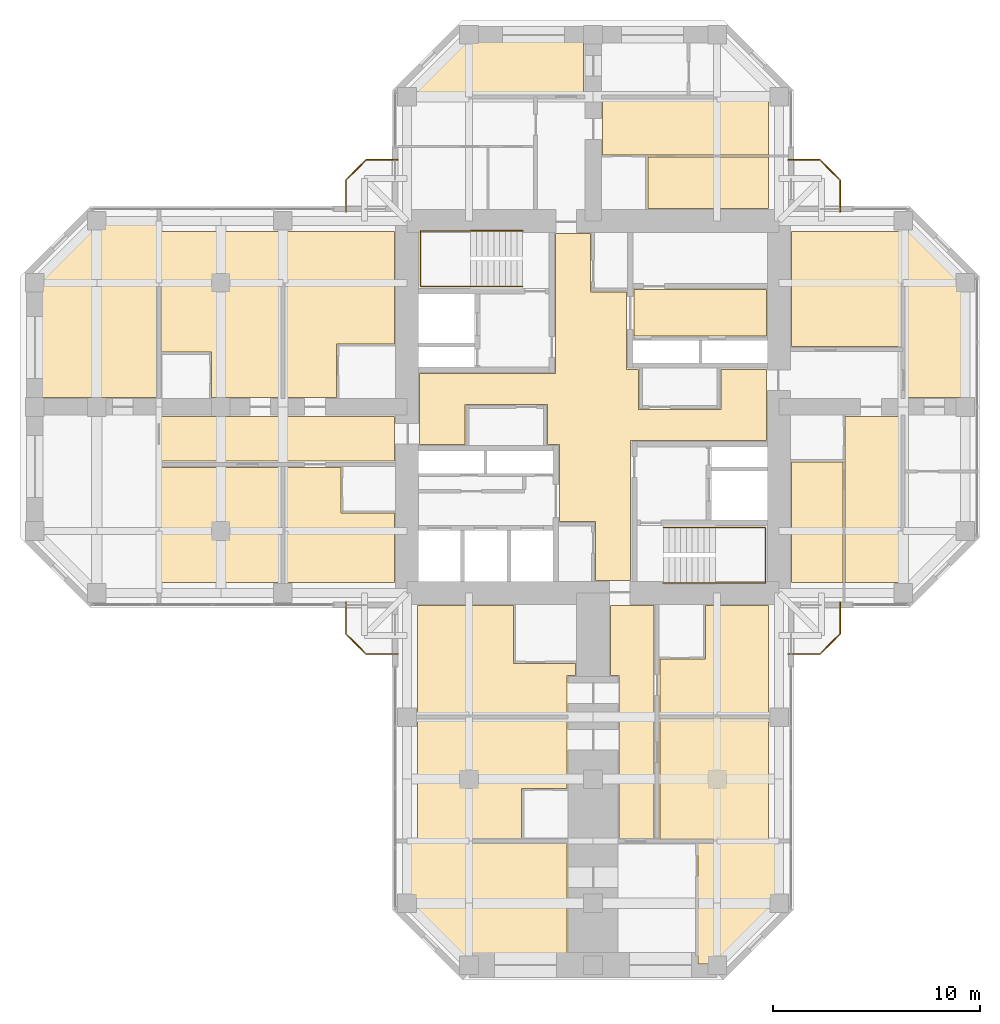
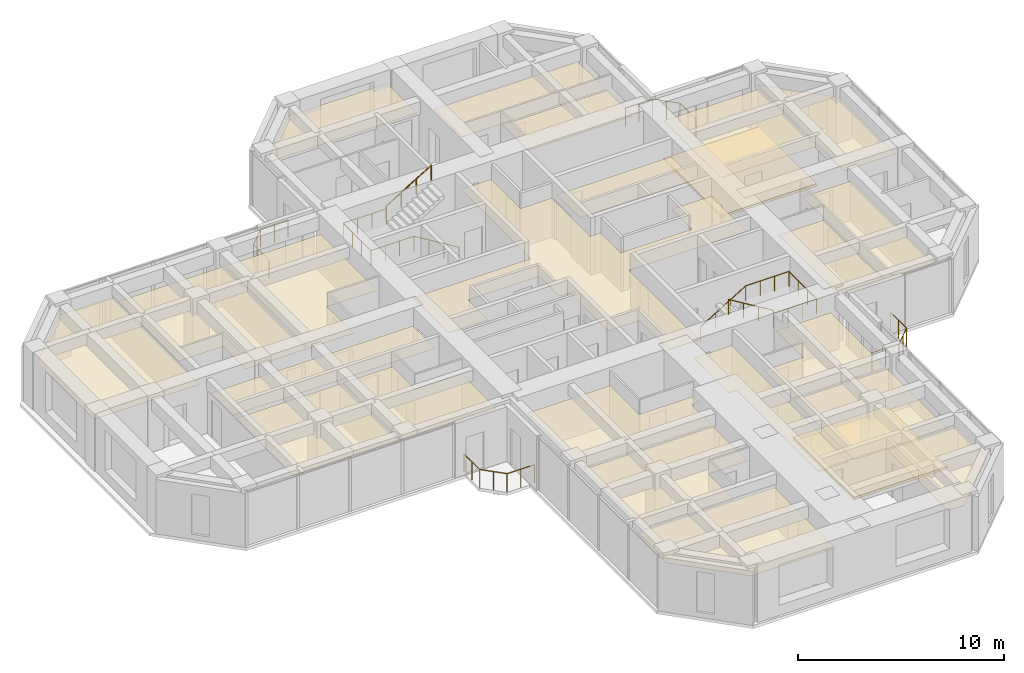
# One storey, part 14 of 14: 24 coverings, 8 railings.
"""IFC4 building model written with IfcOpenShell, lengths in metres."""

from ifc_helpers import new_model, si_unit, direction, frame, origin, origin_2d, place, context, subcontext, project, spatial, polyline, circle, outline, extrude, material, layer, layer_set, constituent, constituent_set, type_object, element, save


model = new_model("IFC4")

# Units and contexts
model_context = context("Model", 3, precision=1e-05, world=origin(), true_north=direction((0.0, 1.0)))
body_context = subcontext(model_context, "Body", "Model", "MODEL_VIEW")
ifc_project = project(units=[si_unit("LENGTHUNIT", "METRE"), si_unit("AREAUNIT", "SQUARE_METRE"), si_unit("VOLUMEUNIT", "CUBIC_METRE"), si_unit("PLANEANGLEUNIT", "RADIAN"), si_unit("MASSUNIT", "GRAM", prefix="KILO")], contexts=[model_context])

# Site, building, storey
site_placement = place(None, origin())
site = spatial("IfcSite", under=ifc_project, at=site_placement, CompositionType="ELEMENT")
building_placement = place(site_placement, origin())
building = spatial("IfcBuilding", under=site, at=building_placement, Name="Torre Cruceta", CompositionType="ELEMENT")
storey_placement = place(building_placement, frame((0.0, 0.0, 210.300048828125)))
storey = spatial("IfcBuildingStorey", under=building, at=storey_placement, Name="L53", CompositionType="ELEMENT", Elevation=210.300048828125)

# Railings
ifc_material_1 = material(Name="Stainless steel 1.4401", Category="steel")
ifc_constituent_1 = constituent(ifc_material_1, Name="Frame")
ifc_material_2 = material(Name="Laminated safety glass", Category="glass")
ifc_constituent_2 = constituent(ifc_material_2, Name="Infill")
ifc_constituent_set_1 = constituent_set(constituents=[ifc_constituent_1, ifc_constituent_2], Name="Stainless steel and laminated glass balustrade")
railing_type_1 = type_object("IfcRailingType", Name="BALCONY BALUSTRADE 1100", PredefinedType="BALUSTRADE", material=ifc_constituent_set_1)
railing_1_placement = place(storey_placement, frame((-9.449951171875, 11.949951171875, 0.0)))
element("IfcRailing", 1, at=railing_1_placement, inside=storey, type_object=railing_type_1, Name="BL1 balcony balustrade L53 N", PredefinedType="BALUSTRADE", context=body_context, shape_type="SweptSolid", body=[
    extrude(circle(Radius=0.02392578125, at=origin_2d()), frame((0.0, 0.0, 1.076171875), z_axis=(-1.0, 0.0, 0.0), x_axis=(0.0, -1.0, 0.0)), (0.0, 0.0, 1.0), 1.529296875),
    extrude(circle(Radius=0.02392578125, at=origin_2d()), frame((-1.529296875, 0.0, 1.076171875), z_axis=(-0.707106781187, -0.707106781187, 0.0), x_axis=(0.707106781187, -0.707106781187, 0.0)), (0.0, 0.0, 1.0), 1.372802734375),
    extrude(circle(Radius=0.02392578125, at=origin_2d()), frame((-2.5, -0.970703125, 1.076171875), z_axis=(0.0, -1.0, 0.0), x_axis=(1.0, 0.0, 0.0)), (0.0, 0.0, 1.0), 1.529296875),
    extrude(circle(Radius=0.02099609375, at=origin_2d()), origin(), (0.0, 0.0, 1.0), 1.052001953125),
    extrude(circle(Radius=0.02099609375, at=origin_2d()), frame((-0.7646484375, 0.0, 0.0)), (0.0, 0.0, 1.0), 1.052001953125),
    extrude(circle(Radius=0.02099609375, at=origin_2d()), frame((-1.529296875, 0.0, 0.0)), (0.0, 0.0, 1.0), 1.052001953125),
    extrude(circle(Radius=0.02099609375, at=origin_2d()), frame((-2.0146484375, -0.4853515625, 0.0)), (0.0, 0.0, 1.0), 1.052001953125),
    extrude(circle(Radius=0.02099609375, at=origin_2d()), frame((-2.5, -0.970703125, 0.0)), (0.0, 0.0, 1.0), 1.052001953125),
    extrude(circle(Radius=0.02099609375, at=origin_2d()), frame((-2.5, -1.7353515625, 0.0)), (0.0, 0.0, 1.0), 1.052001953125),
    extrude(circle(Radius=0.02099609375, at=origin_2d()), frame((-2.5, -2.5, 0.0)), (0.0, 0.0, 1.0), 1.052001953125),
])
railing_2_placement = place(storey_placement, frame((9.449951171875, 11.949951171875, 0.0)))
element("IfcRailing", 2, at=railing_2_placement, inside=storey, type_object=railing_type_1, Name="BL1 balcony balustrade L53 E", PredefinedType="BALUSTRADE", context=body_context, shape_type="SweptSolid", body=[
    extrude(circle(Radius=0.02392578125, at=origin_2d()), frame((0.0, 0.0, 1.076171875), z_axis=(1.0, 0.0, 0.0), x_axis=(0.0, 1.0, 0.0)), (0.0, 0.0, 1.0), 1.529296875),
    extrude(circle(Radius=0.02392578125, at=origin_2d()), frame((1.529296875, 0.0, 1.076171875), z_axis=(0.707106781187, -0.707106781187, 0.0), x_axis=(0.707106781187, 0.707106781187, 0.0)), (0.0, 0.0, 1.0), 1.372802734375),
    extrude(circle(Radius=0.02392578125, at=origin_2d()), frame((2.5, -0.970703125, 1.076171875), z_axis=(0.0, -1.0, 0.0), x_axis=(1.0, 0.0, 0.0)), (0.0, 0.0, 1.0), 1.529296875),
    extrude(circle(Radius=0.02099609375, at=origin_2d()), origin(), (0.0, 0.0, 1.0), 1.052001953125),
    extrude(circle(Radius=0.02099609375, at=origin_2d()), frame((0.7646484375, 0.0, 0.0)), (0.0, 0.0, 1.0), 1.052001953125),
    extrude(circle(Radius=0.02099609375, at=origin_2d()), frame((1.529296875, 0.0, 0.0)), (0.0, 0.0, 1.0), 1.052001953125),
    extrude(circle(Radius=0.02099609375, at=origin_2d()), frame((2.0146484375, -0.4853515625, 0.0)), (0.0, 0.0, 1.0), 1.052001953125),
    extrude(circle(Radius=0.02099609375, at=origin_2d()), frame((2.5, -0.970703125, 0.0)), (0.0, 0.0, 1.0), 1.052001953125),
    extrude(circle(Radius=0.02099609375, at=origin_2d()), frame((2.5, -1.7353515625, 0.0)), (0.0, 0.0, 1.0), 1.052001953125),
    extrude(circle(Radius=0.02099609375, at=origin_2d()), frame((2.5, -2.5, 0.0)), (0.0, 0.0, 1.0), 1.052001953125),
])
railing_3_placement = place(storey_placement, frame((9.449951171875, -11.949951171875, 0.0)))
element("IfcRailing", 3, at=railing_3_placement, inside=storey, type_object=railing_type_1, Name="BL1 balcony balustrade L53 S", PredefinedType="BALUSTRADE", context=body_context, shape_type="SweptSolid", body=[
    extrude(circle(Radius=0.02392578125, at=origin_2d()), frame((0.0, 0.0, 1.076171875), z_axis=(1.0, 0.0, 0.0), x_axis=(0.0, 1.0, 0.0)), (0.0, 0.0, 1.0), 1.529296875),
    extrude(circle(Radius=0.02392578125, at=origin_2d()), frame((1.529296875, 0.0, 1.076171875), z_axis=(0.707106781187, 0.707106781187, 0.0), x_axis=(-0.707106781187, 0.707106781187, 0.0)), (0.0, 0.0, 1.0), 1.372802734375),
    extrude(circle(Radius=0.02392578125, at=origin_2d()), frame((2.5, 0.970703125, 1.076171875), z_axis=(0.0, 1.0, 0.0), x_axis=(-1.0, 0.0, 0.0)), (0.0, 0.0, 1.0), 1.529296875),
    extrude(circle(Radius=0.02099609375, at=origin_2d()), origin(), (0.0, 0.0, 1.0), 1.052001953125),
    extrude(circle(Radius=0.02099609375, at=origin_2d()), frame((0.7646484375, 0.0, 0.0)), (0.0, 0.0, 1.0), 1.052001953125),
    extrude(circle(Radius=0.02099609375, at=origin_2d()), frame((1.529296875, 0.0, 0.0)), (0.0, 0.0, 1.0), 1.052001953125),
    extrude(circle(Radius=0.02099609375, at=origin_2d()), frame((2.0146484375, 0.4853515625, 0.0)), (0.0, 0.0, 1.0), 1.052001953125),
    extrude(circle(Radius=0.02099609375, at=origin_2d()), frame((2.5, 0.970703125, 0.0)), (0.0, 0.0, 1.0), 1.052001953125),
    extrude(circle(Radius=0.02099609375, at=origin_2d()), frame((2.5, 1.7353515625, 0.0)), (0.0, 0.0, 1.0), 1.052001953125),
    extrude(circle(Radius=0.02099609375, at=origin_2d()), frame((2.5, 2.5, 0.0)), (0.0, 0.0, 1.0), 1.052001953125),
])
railing_4_placement = place(storey_placement, frame((-9.449951171875, -11.949951171875, 0.0)))
element("IfcRailing", 4, at=railing_4_placement, inside=storey, type_object=railing_type_1, Name="BL1 balcony balustrade L53 W", PredefinedType="BALUSTRADE", context=body_context, shape_type="SweptSolid", body=[
    extrude(circle(Radius=0.02392578125, at=origin_2d()), frame((0.0, 0.0, 1.076171875), z_axis=(-1.0, 0.0, 0.0), x_axis=(0.0, -1.0, 0.0)), (0.0, 0.0, 1.0), 1.529296875),
    extrude(circle(Radius=0.02392578125, at=origin_2d()), frame((-1.529296875, 0.0, 1.076171875), z_axis=(-0.707106781187, 0.707106781187, 0.0), x_axis=(-0.707106781187, -0.707106781187, 0.0)), (0.0, 0.0, 1.0), 1.372802734375),
    extrude(circle(Radius=0.02392578125, at=origin_2d()), frame((-2.5, 0.970703125, 1.076171875), z_axis=(0.0, 1.0, 0.0), x_axis=(-1.0, 0.0, 0.0)), (0.0, 0.0, 1.0), 1.529296875),
    extrude(circle(Radius=0.02099609375, at=origin_2d()), origin(), (0.0, 0.0, 1.0), 1.052001953125),
    extrude(circle(Radius=0.02099609375, at=origin_2d()), frame((-0.7646484375, 0.0, 0.0)), (0.0, 0.0, 1.0), 1.052001953125),
    extrude(circle(Radius=0.02099609375, at=origin_2d()), frame((-1.529296875, 0.0, 0.0)), (0.0, 0.0, 1.0), 1.052001953125),
    extrude(circle(Radius=0.02099609375, at=origin_2d()), frame((-2.0146484375, 0.4853515625, 0.0)), (0.0, 0.0, 1.0), 1.052001953125),
    extrude(circle(Radius=0.02099609375, at=origin_2d()), frame((-2.5, 0.970703125, 0.0)), (0.0, 0.0, 1.0), 1.052001953125),
    extrude(circle(Radius=0.02099609375, at=origin_2d()), frame((-2.5, 1.7353515625, 0.0)), (0.0, 0.0, 1.0), 1.052001953125),
    extrude(circle(Radius=0.02099609375, at=origin_2d()), frame((-2.5, 2.5, 0.0)), (0.0, 0.0, 1.0), 1.052001953125),
])
ifc_material_3 = material(Name="Stainless steel 1.4401", Category="steel")
railing_type_2 = type_object("IfcRailingType", Name="HANDRAIL 900", PredefinedType="HANDRAIL", material=ifc_material_3)
railing_5_placement = place(storey_placement, frame((-3.39990234375, 5.8349609375, 0.169921875)))
element("IfcRailing", 5, at=railing_5_placement, inside=storey, type_object=railing_type_2, Name="Handrail HR1 ST1 L53", PredefinedType="HANDRAIL", context=body_context, shape_type="SweptSolid", body=[
    extrude(circle(Radius=0.02392578125, at=origin_2d()), frame((0.0, 0.0, 0.8759765625), z_axis=(-0.85478489116, 0.0, 0.518982456201), x_axis=(0.0, -1.0, 0.0)), (0.0, 0.0, 1.0), 2.9482421875),
    extrude(circle(Radius=0.02392578125, at=origin_2d()), frame((-2.52001953125, 0.0, 2.40576171875), z_axis=(-1.0, 0.0, 0.0), x_axis=(0.0, -1.0, 0.0)), (0.0, 0.0, 1.0), 2.420166015625),
    extrude(circle(Radius=0.02392578125, at=origin_2d()), frame((-4.940185546875, 0.0, 2.40576171875), z_axis=(0.0, 1.0, 0.0), x_axis=(-1.0, 0.0, 0.0)), (0.0, 0.0, 1.0), 2.679931640625),
    extrude(circle(Radius=0.02392578125, at=origin_2d()), frame((-4.940185546875, 2.679931640625, 2.40576171875), z_axis=(1.0, 0.0, 0.0), x_axis=(0.0, 1.0, 0.0)), (0.0, 0.0, 1.0), 2.420166015625),
    extrude(circle(Radius=0.02099609375, at=origin_2d()), origin(), (0.0, 0.0, 1.0), 0.851806640625),
    extrude(circle(Radius=0.02099609375, at=origin_2d()), frame((-0.840087890625, 0.0, 0.510009765625)), (0.0, 0.0, 1.0), 0.851806640625),
    extrude(circle(Radius=0.02099609375, at=origin_2d()), frame((-1.679931640625, 0.0, 1.02001953125)), (0.0, 0.0, 1.0), 0.851806640625),
    extrude(circle(Radius=0.02099609375, at=origin_2d()), frame((-2.52001953125, 0.0, 1.530029296875)), (0.0, 0.0, 1.0), 0.851806640625),
    extrude(circle(Radius=0.02099609375, at=origin_2d()), frame((-3.32666015625, 0.0, 1.530029296875)), (0.0, 0.0, 1.0), 0.851806640625),
    extrude(circle(Radius=0.02099609375, at=origin_2d()), frame((-4.133544921875, 0.0, 1.530029296875)), (0.0, 0.0, 1.0), 0.851806640625),
    extrude(circle(Radius=0.02099609375, at=origin_2d()), frame((-4.940185546875, 0.0, 1.530029296875)), (0.0, 0.0, 1.0), 0.851806640625),
    extrude(circle(Radius=0.02099609375, at=origin_2d()), frame((-4.940185546875, 0.893310546875, 1.530029296875)), (0.0, 0.0, 1.0), 0.851806640625),
    extrude(circle(Radius=0.02099609375, at=origin_2d()), frame((-4.940185546875, 1.78662109375, 1.530029296875)), (0.0, 0.0, 1.0), 0.851806640625),
    extrude(circle(Radius=0.02099609375, at=origin_2d()), frame((-4.940185546875, 2.679931640625, 1.530029296875)), (0.0, 0.0, 1.0), 0.851806640625),
    extrude(circle(Radius=0.02099609375, at=origin_2d()), frame((-4.133544921875, 2.679931640625, 1.530029296875)), (0.0, 0.0, 1.0), 0.851806640625),
    extrude(circle(Radius=0.02099609375, at=origin_2d()), frame((-3.32666015625, 2.679931640625, 1.530029296875)), (0.0, 0.0, 1.0), 0.851806640625),
    extrude(circle(Radius=0.02099609375, at=origin_2d()), frame((-2.52001953125, 2.679931640625, 1.530029296875)), (0.0, 0.0, 1.0), 0.851806640625),
])
railing_6_placement = place(storey_placement, frame((-5.919921875, 8.514892578125, 1.869873046875)))
element("IfcRailing", 6, at=railing_6_placement, inside=storey, type_object=railing_type_2, Name="Handrail HR1 ST1 L53", PredefinedType="HANDRAIL", context=body_context, shape_type="SweptSolid", body=[
    extrude(circle(Radius=0.02392578125, at=origin_2d()), frame((0.0, 0.0, 0.8759765625), z_axis=(0.85478489116, 0.0, 0.518982456201), x_axis=(0.0, 1.0, 0.0)), (0.0, 0.0, 1.0), 2.9482421875),
    extrude(circle(Radius=0.02099609375, at=origin_2d()), origin(), (0.0, 0.0, 1.0), 0.851806640625),
    extrude(circle(Radius=0.02099609375, at=origin_2d()), frame((0.840087890625, 0.0, 0.510009765625)), (0.0, 0.0, 1.0), 0.851806640625),
    extrude(circle(Radius=0.02099609375, at=origin_2d()), frame((1.679931640625, 0.0, 1.02001953125)), (0.0, 0.0, 1.0), 0.851806640625),
    extrude(circle(Radius=0.02099609375, at=origin_2d()), frame((2.52001953125, 0.0, 1.530029296875)), (0.0, 0.0, 1.0), 0.851806640625),
])
railing_7_placement = place(storey_placement, frame((3.39990234375, -5.8349609375, 0.169921875)))
element("IfcRailing", 7, at=railing_7_placement, inside=storey, type_object=railing_type_2, Name="Handrail HR1 ST2 L53", PredefinedType="HANDRAIL", context=body_context, shape_type="SweptSolid", body=[
    extrude(circle(Radius=0.02392578125, at=origin_2d()), frame((0.0, 0.0, 0.8759765625), z_axis=(0.85478489116, 0.0, 0.518982456201), x_axis=(0.0, 1.0, 0.0)), (0.0, 0.0, 1.0), 2.9482421875),
    extrude(circle(Radius=0.02392578125, at=origin_2d()), frame((2.52001953125, 0.0, 2.40576171875), z_axis=(1.0, 0.0, 0.0), x_axis=(0.0, 1.0, 0.0)), (0.0, 0.0, 1.0), 2.420166015625),
    extrude(circle(Radius=0.02392578125, at=origin_2d()), frame((4.940185546875, 0.0, 2.40576171875), z_axis=(0.0, -1.0, 0.0), x_axis=(1.0, 0.0, 0.0)), (0.0, 0.0, 1.0), 2.679931640625),
    extrude(circle(Radius=0.02392578125, at=origin_2d()), frame((4.940185546875, -2.679931640625, 2.40576171875), z_axis=(-1.0, 0.0, 0.0), x_axis=(0.0, -1.0, 0.0)), (0.0, 0.0, 1.0), 2.420166015625),
    extrude(circle(Radius=0.02099609375, at=origin_2d()), origin(), (0.0, 0.0, 1.0), 0.851806640625),
    extrude(circle(Radius=0.02099609375, at=origin_2d()), frame((0.840087890625, 0.0, 0.510009765625)), (0.0, 0.0, 1.0), 0.851806640625),
    extrude(circle(Radius=0.02099609375, at=origin_2d()), frame((1.679931640625, 0.0, 1.02001953125)), (0.0, 0.0, 1.0), 0.851806640625),
    extrude(circle(Radius=0.02099609375, at=origin_2d()), frame((2.52001953125, 0.0, 1.530029296875)), (0.0, 0.0, 1.0), 0.851806640625),
    extrude(circle(Radius=0.02099609375, at=origin_2d()), frame((3.32666015625, 0.0, 1.530029296875)), (0.0, 0.0, 1.0), 0.851806640625),
    extrude(circle(Radius=0.02099609375, at=origin_2d()), frame((4.133544921875, 0.0, 1.530029296875)), (0.0, 0.0, 1.0), 0.851806640625),
    extrude(circle(Radius=0.02099609375, at=origin_2d()), frame((4.940185546875, 0.0, 1.530029296875)), (0.0, 0.0, 1.0), 0.851806640625),
    extrude(circle(Radius=0.02099609375, at=origin_2d()), frame((4.940185546875, -0.893310546875, 1.530029296875)), (0.0, 0.0, 1.0), 0.851806640625),
    extrude(circle(Radius=0.02099609375, at=origin_2d()), frame((4.940185546875, -1.78662109375, 1.530029296875)), (0.0, 0.0, 1.0), 0.851806640625),
    extrude(circle(Radius=0.02099609375, at=origin_2d()), frame((4.940185546875, -2.679931640625, 1.530029296875)), (0.0, 0.0, 1.0), 0.851806640625),
    extrude(circle(Radius=0.02099609375, at=origin_2d()), frame((4.133544921875, -2.679931640625, 1.530029296875)), (0.0, 0.0, 1.0), 0.851806640625),
    extrude(circle(Radius=0.02099609375, at=origin_2d()), frame((3.32666015625, -2.679931640625, 1.530029296875)), (0.0, 0.0, 1.0), 0.851806640625),
    extrude(circle(Radius=0.02099609375, at=origin_2d()), frame((2.52001953125, -2.679931640625, 1.530029296875)), (0.0, 0.0, 1.0), 0.851806640625),
])
railing_8_placement = place(storey_placement, frame((5.919921875, -8.514892578125, 1.869873046875)))
element("IfcRailing", 8, at=railing_8_placement, inside=storey, type_object=railing_type_2, Name="Handrail HR1 ST2 L53", PredefinedType="HANDRAIL", context=body_context, shape_type="SweptSolid", body=[
    extrude(circle(Radius=0.02392578125, at=origin_2d()), frame((0.0, 0.0, 0.8759765625), z_axis=(-0.85478489116, 0.0, 0.518982456201), x_axis=(0.0, -1.0, 0.0)), (0.0, 0.0, 1.0), 2.9482421875),
    extrude(circle(Radius=0.02099609375, at=origin_2d()), origin(), (0.0, 0.0, 1.0), 0.851806640625),
    extrude(circle(Radius=0.02099609375, at=origin_2d()), frame((-0.840087890625, 0.0, 0.510009765625)), (0.0, 0.0, 1.0), 0.851806640625),
    extrude(circle(Radius=0.02099609375, at=origin_2d()), frame((-1.679931640625, 0.0, 1.02001953125)), (0.0, 0.0, 1.0), 0.851806640625),
    extrude(circle(Radius=0.02099609375, at=origin_2d()), frame((-2.52001953125, 0.0, 1.530029296875)), (0.0, 0.0, 1.0), 0.851806640625),
])

# Coverings
ifc_material_4 = material(Name="Steel DX51D", Category="steel")
ifc_constituent_3 = constituent(ifc_material_4, Name="Panel casing")
ifc_material_5 = material(Name="Calcium sulphate", Category="gypsum")
ifc_constituent_4 = constituent(ifc_material_5, Name="Panel core")
ifc_constituent_set_2 = constituent_set(constituents=[ifc_constituent_3, ifc_constituent_4], Name="Raised access floor panel")
covering_type_1 = type_object("IfcCoveringType", Name="RAISED ACCESS FLOOR 150", PredefinedType="FLOORING", material=ifc_constituent_set_2)
covering_1_placement = place(storey_placement, origin())
element("IfcCovering", 9, at=covering_1_placement, inside=storey, type_object=covering_type_1, Name="Raised floor L53-036", PredefinedType="FLOORING", context=body_context, shape_type="SweptSolid", body=[
    extrude(outline(polyline([(9.60009765625, 2.925048828125), (9.60009765625, 8.5), (14.949951171875, 8.5), (14.949951171875, 2.925048828125), (9.60009765625, 2.925048828125)])), origin(), (0.0, 0.0, 1.0), 0.14990234375),
])
covering_2_placement = place(storey_placement, origin())
element("IfcCovering", 10, at=covering_2_placement, inside=storey, type_object=covering_type_1, Name="Raised floor L53-048", PredefinedType="FLOORING", context=body_context, shape_type="SweptSolid", body=[
    extrude(outline(polyline([(3.25, -15.050048828125), (8.5, -15.050048828125), (8.5, -20.949951171875), (3.25, -20.949951171875), (3.25, -15.050048828125)])), origin(), (0.0, 0.0, 1.0), 0.14990234375),
])
ifc_material_6 = material(Name="Mineral fibre ceiling tile", Category="gypsum")
ifc_layer = layer(ifc_material_6, 0.02001953125)
ifc_layer_set = layer_set([ifc_layer], Name="Mineral fibre ceiling tile")
covering_type_2 = type_object("IfcCoveringType", Name="SUSPENDED CEILING 20", PredefinedType="CEILING", material=ifc_layer_set)
covering_3_placement = place(storey_placement, frame((0.0, 0.0, 2.349853515625)))
element("IfcCovering", 11, at=covering_3_placement, inside=storey, type_object=covering_type_2, Name="Ceiling L53-002", PredefinedType="CEILING", context=body_context, shape_type="SweptSolid", body=[
    extrude(outline(polyline([(1.824951171875, -8.39990234375), (0.125, -8.39990234375), (0.125, -5.550048828125), (-1.625, -5.550048828125), (-1.625, -1.824951171875), (-2.199951171875, -1.824951171875), (-2.199951171875, 0.125), (-6.199951171875, 0.125), (-6.199951171875, -1.824951171875), (-8.39990234375, -1.824951171875), (-8.39990234375, 1.625), (-1.824951171875, 1.625), (-1.824951171875, 8.39990234375), (-0.125, 8.39990234375), (-0.125, 5.550048828125), (1.625, 5.550048828125), (1.625, 1.824951171875), (2.199951171875, 1.824951171875), (2.199951171875, -0.125), (6.199951171875, -0.125), (6.199951171875, 1.824951171875), (8.39990234375, 1.824951171875), (8.39990234375, -1.625), (1.824951171875, -1.625), (1.824951171875, -8.39990234375)])), origin(), (0.0, 0.0, 1.0), 0.02001953125),
])
covering_4_placement = place(storey_placement, frame((0.0, 0.0, 2.349853515625)))
element("IfcCovering", 12, at=covering_4_placement, inside=storey, type_object=covering_type_2, Name="Ceiling L53-007", PredefinedType="CEILING", context=body_context, shape_type="SweptSolid", body=[
    extrude(outline(polyline([(1.97509765625, 3.425048828125), (1.97509765625, 5.675048828125), (8.39990234375, 5.675048828125), (8.39990234375, 3.425048828125), (1.97509765625, 3.425048828125)])), origin(), (0.0, 0.0, 1.0), 0.02001953125),
])
covering_5_placement = place(storey_placement, frame((0.0, 0.0, 2.349853515625)))
element("IfcCovering", 13, at=covering_5_placement, inside=storey, type_object=covering_type_2, Name="Ceiling L53-029", PredefinedType="CEILING", context=body_context, shape_type="SweptSolid", body=[
    extrude(outline(polyline([(8.5, 14.949951171875), (8.5, 12.199951171875), (0.449951171875, 12.199951171875), (0.449951171875, 14.949951171875), (8.5, 14.949951171875)])), origin(), (0.0, 0.0, 1.0), 0.02001953125),
])
covering_6_placement = place(storey_placement, frame((0.0, 0.0, 2.349853515625)))
element("IfcCovering", 14, at=covering_6_placement, inside=storey, type_object=covering_type_2, Name="Ceiling L53-030", PredefinedType="CEILING", context=body_context, shape_type="SweptSolid", body=[
    extrude(outline(polyline([(8.5, 9.60009765625), (2.64990234375, 9.60009765625), (2.64990234375, 12.10009765625), (8.5, 12.10009765625), (8.5, 9.60009765625)])), origin(), (0.0, 0.0, 1.0), 0.02001953125),
])
covering_7_placement = place(storey_placement, frame((0.0, 0.0, 2.349853515625)))
element("IfcCovering", 15, at=covering_7_placement, inside=storey, type_object=covering_type_2, Name="Ceiling L53-032", PredefinedType="CEILING", context=body_context, shape_type="SweptSolid", body=[
    extrude(outline(polyline([(-5.979248046875, 17.949951171875), (-0.449951171875, 17.949951171875), (-0.449951171875, 15.050048828125), (-8.87939453125, 15.050048828125), (-5.979248046875, 17.949951171875)])), origin(), (0.0, 0.0, 1.0), 0.02001953125),
])
covering_8_placement = place(storey_placement, frame((0.0, 0.0, 2.349853515625)))
element("IfcCovering", 16, at=covering_8_placement, inside=storey, type_object=covering_type_2, Name="Ceiling L53-036", PredefinedType="CEILING", context=body_context, shape_type="SweptSolid", body=[
    extrude(outline(polyline([(9.60009765625, 2.925048828125), (9.60009765625, 8.5), (14.949951171875, 8.5), (14.949951171875, 2.925048828125), (9.60009765625, 2.925048828125)])), origin(), (0.0, 0.0, 1.0), 0.02001953125),
])
covering_9_placement = place(storey_placement, frame((0.0, 0.0, 2.349853515625)))
element("IfcCovering", 17, at=covering_9_placement, inside=storey, type_object=covering_type_2, Name="Ceiling L53-037", PredefinedType="CEILING", context=body_context, shape_type="SweptSolid", body=[
    extrude(outline(polyline([(14.949951171875, -8.5), (12.199951171875, -8.5), (12.199951171875, -0.449951171875), (14.949951171875, -0.449951171875), (14.949951171875, -8.5)])), origin(), (0.0, 0.0, 1.0), 0.02001953125),
])
covering_10_placement = place(storey_placement, frame((0.0, 0.0, 2.349853515625)))
element("IfcCovering", 18, at=covering_10_placement, inside=storey, type_object=covering_type_2, Name="Ceiling L53-038", PredefinedType="CEILING", context=body_context, shape_type="SweptSolid", body=[
    extrude(outline(polyline([(9.60009765625, -8.5), (9.60009765625, -2.64990234375), (12.10009765625, -2.64990234375), (12.10009765625, -8.5), (9.60009765625, -8.5)])), origin(), (0.0, 0.0, 1.0), 0.02001953125),
])
covering_11_placement = place(storey_placement, frame((0.0, 0.0, 2.349853515625)))
element("IfcCovering", 19, at=covering_11_placement, inside=storey, type_object=covering_type_2, Name="Ceiling L53-040", PredefinedType="CEILING", context=body_context, shape_type="SweptSolid", body=[
    extrude(outline(polyline([(17.949951171875, 5.979248046875), (17.949951171875, 0.449951171875), (15.050048828125, 0.449951171875), (15.050048828125, 8.87939453125), (17.949951171875, 5.979248046875)])), origin(), (0.0, 0.0, 1.0), 0.02001953125),
])
covering_12_placement = place(storey_placement, frame((0.0, 0.0, 2.349853515625)))
element("IfcCovering", 20, at=covering_12_placement, inside=storey, type_object=covering_type_2, Name="Ceiling L53-043", PredefinedType="CEILING", context=body_context, shape_type="SweptSolid", body=[
    extrude(outline(polyline([(0.85009765625, -9.60009765625), (2.949951171875, -9.60009765625), (2.949951171875, -20.949951171875), (1.25, -20.949951171875), (1.25, -13.0), (0.85009765625, -13.0), (0.85009765625, -9.60009765625)])), origin(), (0.0, 0.0, 1.0), 0.02001953125),
])
covering_13_placement = place(storey_placement, frame((0.0, 0.0, 2.349853515625)))
element("IfcCovering", 21, at=covering_13_placement, inside=storey, type_object=covering_type_2, Name="Ceiling L53-044", PredefinedType="CEILING", context=body_context, shape_type="SweptSolid", body=[
    extrude(outline(polyline([(8.5, -9.60009765625), (8.5, -14.949951171875), (3.25, -14.949951171875), (3.25, -12.199951171875), (5.449951171875, -12.199951171875), (5.449951171875, -9.60009765625), (8.5, -9.60009765625)])), origin(), (0.0, 0.0, 1.0), 0.02001953125),
])
covering_14_placement = place(storey_placement, frame((0.0, 0.0, 2.349853515625)))
element("IfcCovering", 22, at=covering_14_placement, inside=storey, type_object=covering_type_2, Name="Ceiling L53-046", PredefinedType="CEILING", context=body_context, shape_type="SweptSolid", body=[
    extrude(outline(polyline([(-8.5, -14.949951171875), (-8.5, -9.60009765625), (-3.85009765625, -9.60009765625), (-3.85009765625, -12.39990234375), (-0.85009765625, -12.39990234375), (-0.85009765625, -13.0), (-1.25, -13.0), (-1.25, -14.949951171875), (-8.5, -14.949951171875)])), origin(), (0.0, 0.0, 1.0), 0.02001953125),
])
covering_15_placement = place(storey_placement, frame((0.0, 0.0, 2.349853515625)))
element("IfcCovering", 23, at=covering_15_placement, inside=storey, type_object=covering_type_2, Name="Ceiling L53-048", PredefinedType="CEILING", context=body_context, shape_type="SweptSolid", body=[
    extrude(outline(polyline([(3.25, -15.050048828125), (8.5, -15.050048828125), (8.5, -20.949951171875), (3.25, -20.949951171875), (3.25, -15.050048828125)])), origin(), (0.0, 0.0, 1.0), 0.02001953125),
])
covering_16_placement = place(storey_placement, frame((0.0, 0.0, 2.349853515625)))
element("IfcCovering", 24, at=covering_16_placement, inside=storey, type_object=covering_type_2, Name="Ceiling L53-049", PredefinedType="CEILING", context=body_context, shape_type="SweptSolid", body=[
    extrude(outline(polyline([(-8.5, -15.050048828125), (-1.25, -15.050048828125), (-1.25, -18.449951171875), (-3.449951171875, -18.449951171875), (-3.449951171875, -20.949951171875), (-8.5, -20.949951171875), (-8.5, -15.050048828125)])), origin(), (0.0, 0.0, 1.0), 0.02001953125),
])
covering_17_placement = place(storey_placement, frame((0.0, 0.0, 2.349853515625)))
element("IfcCovering", 25, at=covering_17_placement, inside=storey, type_object=covering_type_2, Name="Ceiling L53-052", PredefinedType="CEILING", context=body_context, shape_type="SweptSolid", body=[
    extrude(outline(polyline([(8.949951171875, -23.979248046875), (5.979248046875, -26.949951171875), (5.074951171875, -26.949951171875), (5.074951171875, -21.050048828125), (8.949951171875, -21.050048828125), (8.949951171875, -23.979248046875)])), origin(), (0.0, 0.0, 1.0), 0.02001953125),
])
covering_18_placement = place(storey_placement, frame((0.0, 0.0, 2.349853515625)))
element("IfcCovering", 26, at=covering_18_placement, inside=storey, type_object=covering_type_2, Name="Ceiling L53-053", PredefinedType="CEILING", context=body_context, shape_type="SweptSolid", body=[
    extrude(outline(polyline([(-8.949951171875, -23.979248046875), (-8.949951171875, -21.050048828125), (-1.25, -21.050048828125), (-1.25, -26.949951171875), (-5.979248046875, -26.949951171875), (-8.949951171875, -23.979248046875)])), origin(), (0.0, 0.0, 1.0), 0.02001953125),
])
covering_19_placement = place(storey_placement, frame((0.0, 0.0, 2.349853515625)))
element("IfcCovering", 27, at=covering_19_placement, inside=storey, type_object=covering_type_2, Name="Ceiling L53-054", PredefinedType="CEILING", context=body_context, shape_type="SweptSolid", body=[
    extrude(outline(polyline([(-9.60009765625, -0.449951171875), (-9.60009765625, -2.625), (-20.949951171875, -2.625), (-20.949951171875, -0.449951171875), (-9.60009765625, -0.449951171875)])), origin(), (0.0, 0.0, 1.0), 0.02001953125),
])
covering_20_placement = place(storey_placement, frame((0.0, 0.0, 2.349853515625)))
element("IfcCovering", 28, at=covering_20_placement, inside=storey, type_object=covering_type_2, Name="Ceiling L53-055", PredefinedType="CEILING", context=body_context, shape_type="SweptSolid", body=[
    extrude(outline(polyline([(-9.60009765625, -8.5), (-14.949951171875, -8.5), (-14.949951171875, -2.925048828125), (-12.199951171875, -2.925048828125), (-12.199951171875, -5.125), (-9.60009765625, -5.125), (-9.60009765625, -8.5)])), origin(), (0.0, 0.0, 1.0), 0.02001953125),
])
covering_21_placement = place(storey_placement, frame((0.0, 0.0, 2.349853515625)))
element("IfcCovering", 29, at=covering_21_placement, inside=storey, type_object=covering_type_2, Name="Ceiling L53-057", PredefinedType="CEILING", context=body_context, shape_type="SweptSolid", body=[
    extrude(outline(polyline([(-14.949951171875, 0.449951171875), (-14.949951171875, 8.5), (-9.60009765625, 8.5), (-9.60009765625, 3.050048828125), (-12.39990234375, 3.050048828125), (-12.39990234375, 0.449951171875), (-14.949951171875, 0.449951171875)])), origin(), (0.0, 0.0, 1.0), 0.02001953125),
])
covering_22_placement = place(storey_placement, frame((0.0, 0.0, 2.349853515625)))
element("IfcCovering", 30, at=covering_22_placement, inside=storey, type_object=covering_type_2, Name="Ceiling L53-059", PredefinedType="CEILING", context=body_context, shape_type="SweptSolid", body=[
    extrude(outline(polyline([(-15.050048828125, -2.925048828125), (-15.050048828125, -8.5), (-20.949951171875, -8.5), (-20.949951171875, -2.925048828125), (-15.050048828125, -2.925048828125)])), origin(), (0.0, 0.0, 1.0), 0.02001953125),
])
covering_23_placement = place(storey_placement, frame((0.0, 0.0, 2.349853515625)))
element("IfcCovering", 31, at=covering_23_placement, inside=storey, type_object=covering_type_2, Name="Ceiling L53-060", PredefinedType="CEILING", context=body_context, shape_type="SweptSolid", body=[
    extrude(outline(polyline([(-20.949951171875, 8.5), (-15.050048828125, 8.5), (-15.050048828125, 0.449951171875), (-18.449951171875, 0.449951171875), (-18.449951171875, 2.64990234375), (-20.949951171875, 2.64990234375), (-20.949951171875, 8.5)])), origin(), (0.0, 0.0, 1.0), 0.02001953125),
])
covering_24_placement = place(storey_placement, frame((0.0, 0.0, 2.349853515625)))
element("IfcCovering", 32, at=covering_24_placement, inside=storey, type_object=covering_type_2, Name="Ceiling L53-063", PredefinedType="CEILING", context=body_context, shape_type="SweptSolid", body=[
    extrude(outline(polyline([(-23.979248046875, 8.949951171875), (-21.050048828125, 8.949951171875), (-21.050048828125, 0.449951171875), (-26.949951171875, 0.449951171875), (-26.949951171875, 5.979248046875), (-23.979248046875, 8.949951171875)])), origin(), (0.0, 0.0, 1.0), 0.02001953125),
])

save(model, "model.ifc")
